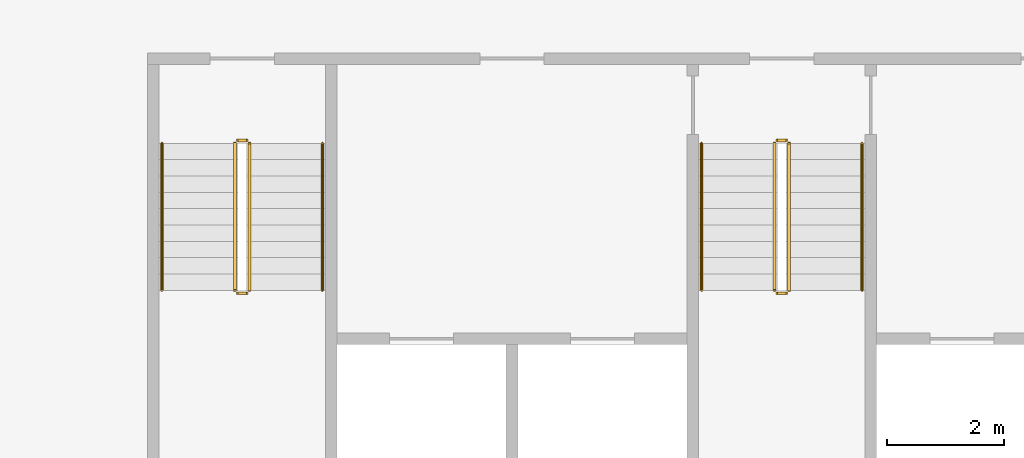
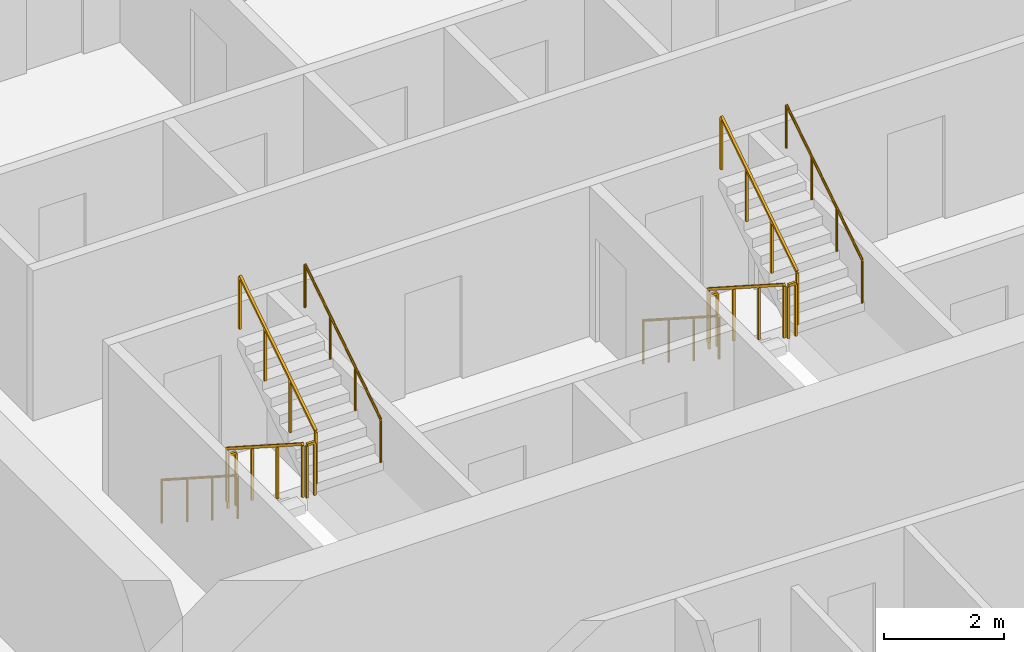
# One storey, part 15 of 17: 12 railings.
"""IFC4 building model written with IfcOpenShell, lengths in metres."""

from ifc_helpers import new_model, si_unit, direction, frame, origin, origin_2d, place, context, subcontext, project, spatial, rectangle, circle, extrude, material, type_object, element, save


model = new_model("IFC4")

# Units and contexts
model_context = context("Model", 3, precision=1e-05, world=origin(), true_north=direction((0.0, 1.0)))
body_context = subcontext(model_context, "Body", "Model", "MODEL_VIEW")
ifc_project = project(units=[si_unit("LENGTHUNIT", "METRE"), si_unit("AREAUNIT", "SQUARE_METRE"), si_unit("VOLUMEUNIT", "CUBIC_METRE"), si_unit("PLANEANGLEUNIT", "RADIAN"), si_unit("MASSUNIT", "GRAM", prefix="KILO")], contexts=[model_context])

# Site, building, storey
site_placement = place(None, origin())
site = spatial("IfcSite", under=ifc_project, at=site_placement, CompositionType="ELEMENT")
building_placement = place(site_placement, origin())
building = spatial("IfcBuilding", under=site, at=building_placement, Name="Mangrove Gate Tower", CompositionType="ELEMENT")
storey_placement = place(building_placement, frame((0.0, 0.0, 271.699951171875)))
storey = spatial("IfcBuildingStorey", under=building, at=storey_placement, Name="L69", CompositionType="ELEMENT", Elevation=271.699951171875)

# Railings
ifc_material_1 = material(Name="Stainless steel 316", Category="steel")
railing_type_1 = type_object("IfcRailingType", Name="Core stair guard 1100", PredefinedType="GUARDRAIL", material=ifc_material_1)
railing_1_placement = place(storey_placement, frame((-9.39990234375, -4.64990234375, 0.179931640625)))
element("IfcRailing", 1, at=railing_1_placement, inside=storey, type_object=railing_type_1, Name="L69 ST1 stair guard 1", PredefinedType="GUARDRAIL", context=body_context, shape_type="SweptSolid", body=[
    extrude(rectangle(XDim=0.048095703125, YDim=0.048095703125, at=origin_2d()), frame((0.0, 0.0, 1.076171875), z_axis=(0.0, -0.841162588446, 0.540782303519), x_axis=(1.0, 0.0, 0.0)), (0.0, 0.0, 1.0), 2.995849609375),
    extrude(rectangle(XDim=0.0419921875, YDim=0.0419921875, at=origin_2d()), origin(), (0.0, 0.0, 1.0), 1.052001953125),
    extrude(rectangle(XDim=0.0419921875, YDim=0.0419921875, at=origin_2d()), frame((0.0, -0.840087890625, 0.5400390625)), (0.0, 0.0, 1.0), 1.052001953125),
    extrude(rectangle(XDim=0.0419921875, YDim=0.0419921875, at=origin_2d()), frame((0.0, -1.679931640625, 1.080078125)), (0.0, 0.0, 1.0), 1.052001953125),
    extrude(rectangle(XDim=0.0419921875, YDim=0.0419921875, at=origin_2d()), frame((0.0, -2.52001953125, 1.6201171875)), (0.0, 0.0, 1.0), 1.052001953125),
])
railing_2_placement = place(storey_placement, frame((-9.35009765625, -7.219970703125, 1.800048828125)))
element("IfcRailing", 2, at=railing_2_placement, inside=storey, type_object=railing_type_1, Name="L69 ST1 stair guard 2", PredefinedType="GUARDRAIL", context=body_context, shape_type="SweptSolid", body=[
    extrude(rectangle(XDim=0.048095703125, YDim=0.048095703125, at=origin_2d()), frame((0.0, 0.0, 1.076171875), z_axis=(1.0, 0.0, 0.0), x_axis=(0.0, 1.0, 0.0)), (0.0, 0.0, 1.0), 0.150146484375),
    extrude(rectangle(XDim=0.0419921875, YDim=0.0419921875, at=origin_2d()), origin(), (0.0, 0.0, 1.0), 1.052001953125),
    extrude(rectangle(XDim=0.0419921875, YDim=0.0419921875, at=origin_2d()), frame((0.150146484375, 0.0, 0.0)), (0.0, 0.0, 1.0), 1.052001953125),
])
railing_3_placement = place(storey_placement, frame((-9.14990234375, -7.169921875, 1.97998046875)))
element("IfcRailing", 3, at=railing_3_placement, inside=storey, type_object=railing_type_1, Name="L69 ST1 stair guard 3", PredefinedType="GUARDRAIL", context=body_context, shape_type="SweptSolid", body=[
    extrude(rectangle(XDim=0.048095703125, YDim=0.048095703125, at=origin_2d()), frame((0.0, 0.0, 1.076171875), z_axis=(0.0, 0.841162588446, 0.540782303519), x_axis=(-1.0, 0.0, 0.0)), (0.0, 0.0, 1.0), 2.995849609375),
    extrude(rectangle(XDim=0.0419921875, YDim=0.0419921875, at=origin_2d()), origin(), (0.0, 0.0, 1.0), 1.052001953125),
    extrude(rectangle(XDim=0.0419921875, YDim=0.0419921875, at=origin_2d()), frame((0.0, 0.840087890625, 0.5400390625)), (0.0, 0.0, 1.0), 1.052001953125),
    extrude(rectangle(XDim=0.0419921875, YDim=0.0419921875, at=origin_2d()), frame((0.0, 1.679931640625, 1.080078125)), (0.0, 0.0, 1.0), 1.052001953125),
    extrude(rectangle(XDim=0.0419921875, YDim=0.0419921875, at=origin_2d()), frame((0.0, 2.52001953125, 1.6201171875)), (0.0, 0.0, 1.0), 1.052001953125),
])
railing_4_placement = place(storey_placement, frame((-9.35009765625, -4.60009765625, 0.0)))
element("IfcRailing", 4, at=railing_4_placement, inside=storey, type_object=railing_type_1, Name="L69 ST1 stair guard 4", PredefinedType="GUARDRAIL", context=body_context, shape_type="SweptSolid", body=[
    extrude(rectangle(XDim=0.048095703125, YDim=0.048095703125, at=origin_2d()), frame((0.0, 0.0, 1.076171875), z_axis=(1.0, 0.0, 0.0), x_axis=(0.0, 1.0, 0.0)), (0.0, 0.0, 1.0), 0.150146484375),
    extrude(rectangle(XDim=0.0419921875, YDim=0.0419921875, at=origin_2d()), origin(), (0.0, 0.0, 1.0), 1.052001953125),
    extrude(rectangle(XDim=0.0419921875, YDim=0.0419921875, at=origin_2d()), frame((0.150146484375, 0.0, 0.0)), (0.0, 0.0, 1.0), 1.052001953125),
])
railing_5_placement = place(storey_placement, frame((-0.14990234375, -4.64990234375, 0.179931640625)))
element("IfcRailing", 5, at=railing_5_placement, inside=storey, type_object=railing_type_1, Name="L69 ST2 stair guard 1", PredefinedType="GUARDRAIL", context=body_context, shape_type="SweptSolid", body=[
    extrude(rectangle(XDim=0.048095703125, YDim=0.048095703125, at=origin_2d()), frame((0.0, 0.0, 1.076171875), z_axis=(0.0, -0.841162588446, 0.540782303519), x_axis=(1.0, 0.0, 0.0)), (0.0, 0.0, 1.0), 2.995849609375),
    extrude(rectangle(XDim=0.0419921875, YDim=0.0419921875, at=origin_2d()), origin(), (0.0, 0.0, 1.0), 1.052001953125),
    extrude(rectangle(XDim=0.0419921875, YDim=0.0419921875, at=origin_2d()), frame((0.0, -0.840087890625, 0.5400390625)), (0.0, 0.0, 1.0), 1.052001953125),
    extrude(rectangle(XDim=0.0419921875, YDim=0.0419921875, at=origin_2d()), frame((0.0, -1.679931640625, 1.080078125)), (0.0, 0.0, 1.0), 1.052001953125),
    extrude(rectangle(XDim=0.0419921875, YDim=0.0419921875, at=origin_2d()), frame((0.0, -2.52001953125, 1.6201171875)), (0.0, 0.0, 1.0), 1.052001953125),
])
railing_6_placement = place(storey_placement, frame((-0.10009765625, -7.219970703125, 1.800048828125)))
element("IfcRailing", 6, at=railing_6_placement, inside=storey, type_object=railing_type_1, Name="L69 ST2 stair guard 2", PredefinedType="GUARDRAIL", context=body_context, shape_type="SweptSolid", body=[
    extrude(rectangle(XDim=0.048095703125, YDim=0.048095703125, at=origin_2d()), frame((0.0, 0.0, 1.076171875), z_axis=(1.0, 0.0, 0.0), x_axis=(0.0, 1.0, 0.0)), (0.0, 0.0, 1.0), 0.150146484375),
    extrude(rectangle(XDim=0.0419921875, YDim=0.0419921875, at=origin_2d()), origin(), (0.0, 0.0, 1.0), 1.052001953125),
    extrude(rectangle(XDim=0.0419921875, YDim=0.0419921875, at=origin_2d()), frame((0.150146484375, 0.0, 0.0)), (0.0, 0.0, 1.0), 1.052001953125),
])
railing_7_placement = place(storey_placement, frame((0.10009765625, -7.169921875, 1.97998046875)))
element("IfcRailing", 7, at=railing_7_placement, inside=storey, type_object=railing_type_1, Name="L69 ST2 stair guard 3", PredefinedType="GUARDRAIL", context=body_context, shape_type="SweptSolid", body=[
    extrude(rectangle(XDim=0.048095703125, YDim=0.048095703125, at=origin_2d()), frame((0.0, 0.0, 1.076171875), z_axis=(0.0, 0.841162588446, 0.540782303519), x_axis=(-1.0, 0.0, 0.0)), (0.0, 0.0, 1.0), 2.995849609375),
    extrude(rectangle(XDim=0.0419921875, YDim=0.0419921875, at=origin_2d()), origin(), (0.0, 0.0, 1.0), 1.052001953125),
    extrude(rectangle(XDim=0.0419921875, YDim=0.0419921875, at=origin_2d()), frame((0.0, 0.840087890625, 0.5400390625)), (0.0, 0.0, 1.0), 1.052001953125),
    extrude(rectangle(XDim=0.0419921875, YDim=0.0419921875, at=origin_2d()), frame((0.0, 1.679931640625, 1.080078125)), (0.0, 0.0, 1.0), 1.052001953125),
    extrude(rectangle(XDim=0.0419921875, YDim=0.0419921875, at=origin_2d()), frame((0.0, 2.52001953125, 1.6201171875)), (0.0, 0.0, 1.0), 1.052001953125),
])
railing_8_placement = place(storey_placement, frame((-0.10009765625, -4.60009765625, 0.0)))
element("IfcRailing", 8, at=railing_8_placement, inside=storey, type_object=railing_type_1, Name="L69 ST2 stair guard 4", PredefinedType="GUARDRAIL", context=body_context, shape_type="SweptSolid", body=[
    extrude(rectangle(XDim=0.048095703125, YDim=0.048095703125, at=origin_2d()), frame((0.0, 0.0, 1.076171875), z_axis=(1.0, 0.0, 0.0), x_axis=(0.0, 1.0, 0.0)), (0.0, 0.0, 1.0), 0.150146484375),
    extrude(rectangle(XDim=0.0419921875, YDim=0.0419921875, at=origin_2d()), origin(), (0.0, 0.0, 1.0), 1.052001953125),
    extrude(rectangle(XDim=0.0419921875, YDim=0.0419921875, at=origin_2d()), frame((0.150146484375, 0.0, 0.0)), (0.0, 0.0, 1.0), 1.052001953125),
])
ifc_material_2 = material(Name="Stainless steel 316", Category="steel")
railing_type_2 = type_object("IfcRailingType", Name="Core stair handrail 900", PredefinedType="HANDRAIL", material=ifc_material_2)
railing_9_placement = place(storey_placement, frame((-10.64990234375, -4.64990234375, 0.179931640625)))
element("IfcRailing", 9, at=railing_9_placement, inside=storey, type_object=railing_type_2, Name="L69 ST1 stair handrail 1", PredefinedType="HANDRAIL", context=body_context, shape_type="SweptSolid", body=[
    extrude(circle(Radius=0.02392578125, at=origin_2d()), frame((0.0, 0.0, 0.8759765625), z_axis=(0.0, -0.841162588446, 0.540782303519), x_axis=(1.0, 0.0, 0.0)), (0.0, 0.0, 1.0), 2.995849609375),
    extrude(circle(Radius=0.02099609375, at=origin_2d()), origin(), (0.0, 0.0, 1.0), 0.851806640625),
    extrude(circle(Radius=0.02099609375, at=origin_2d()), frame((0.0, -0.840087890625, 0.5400390625)), (0.0, 0.0, 1.0), 0.851806640625),
    extrude(circle(Radius=0.02099609375, at=origin_2d()), frame((0.0, -1.679931640625, 1.080078125)), (0.0, 0.0, 1.0), 0.851806640625),
    extrude(circle(Radius=0.02099609375, at=origin_2d()), frame((0.0, -2.52001953125, 1.6201171875)), (0.0, 0.0, 1.0), 0.851806640625),
])
railing_10_placement = place(storey_placement, frame((-7.89990234375, -7.169921875, 1.97998046875)))
element("IfcRailing", 10, at=railing_10_placement, inside=storey, type_object=railing_type_2, Name="L69 ST1 stair handrail 2", PredefinedType="HANDRAIL", context=body_context, shape_type="SweptSolid", body=[
    extrude(circle(Radius=0.02392578125, at=origin_2d()), frame((0.0, 0.0, 0.8759765625), z_axis=(0.0, 0.841162588446, 0.540782303519), x_axis=(-1.0, 0.0, 0.0)), (0.0, 0.0, 1.0), 2.995849609375),
    extrude(circle(Radius=0.02099609375, at=origin_2d()), origin(), (0.0, 0.0, 1.0), 0.851806640625),
    extrude(circle(Radius=0.02099609375, at=origin_2d()), frame((0.0, 0.840087890625, 0.5400390625)), (0.0, 0.0, 1.0), 0.851806640625),
    extrude(circle(Radius=0.02099609375, at=origin_2d()), frame((0.0, 1.679931640625, 1.080078125)), (0.0, 0.0, 1.0), 0.851806640625),
    extrude(circle(Radius=0.02099609375, at=origin_2d()), frame((0.0, 2.52001953125, 1.6201171875)), (0.0, 0.0, 1.0), 0.851806640625),
])
railing_11_placement = place(storey_placement, frame((-1.39990234375, -4.64990234375, 0.179931640625)))
element("IfcRailing", 11, at=railing_11_placement, inside=storey, type_object=railing_type_2, Name="L69 ST2 stair handrail 1", PredefinedType="HANDRAIL", context=body_context, shape_type="SweptSolid", body=[
    extrude(circle(Radius=0.02392578125, at=origin_2d()), frame((0.0, 0.0, 0.8759765625), z_axis=(0.0, -0.841162588446, 0.540782303519), x_axis=(1.0, 0.0, 0.0)), (0.0, 0.0, 1.0), 2.995849609375),
    extrude(circle(Radius=0.02099609375, at=origin_2d()), origin(), (0.0, 0.0, 1.0), 0.851806640625),
    extrude(circle(Radius=0.02099609375, at=origin_2d()), frame((0.0, -0.840087890625, 0.5400390625)), (0.0, 0.0, 1.0), 0.851806640625),
    extrude(circle(Radius=0.02099609375, at=origin_2d()), frame((0.0, -1.679931640625, 1.080078125)), (0.0, 0.0, 1.0), 0.851806640625),
    extrude(circle(Radius=0.02099609375, at=origin_2d()), frame((0.0, -2.52001953125, 1.6201171875)), (0.0, 0.0, 1.0), 0.851806640625),
])
railing_12_placement = place(storey_placement, frame((1.35009765625, -7.169921875, 1.97998046875)))
element("IfcRailing", 12, at=railing_12_placement, inside=storey, type_object=railing_type_2, Name="L69 ST2 stair handrail 2", PredefinedType="HANDRAIL", context=body_context, shape_type="SweptSolid", body=[
    extrude(circle(Radius=0.02392578125, at=origin_2d()), frame((0.0, 0.0, 0.8759765625), z_axis=(0.0, 0.841162588446, 0.540782303519), x_axis=(-1.0, 0.0, 0.0)), (0.0, 0.0, 1.0), 2.995849609375),
    extrude(circle(Radius=0.02099609375, at=origin_2d()), origin(), (0.0, 0.0, 1.0), 0.851806640625),
    extrude(circle(Radius=0.02099609375, at=origin_2d()), frame((0.0, 0.840087890625, 0.5400390625)), (0.0, 0.0, 1.0), 0.851806640625),
    extrude(circle(Radius=0.02099609375, at=origin_2d()), frame((0.0, 1.679931640625, 1.080078125)), (0.0, 0.0, 1.0), 0.851806640625),
    extrude(circle(Radius=0.02099609375, at=origin_2d()), frame((0.0, 2.52001953125, 1.6201171875)), (0.0, 0.0, 1.0), 0.851806640625),
])

save(model, "model.ifc")
